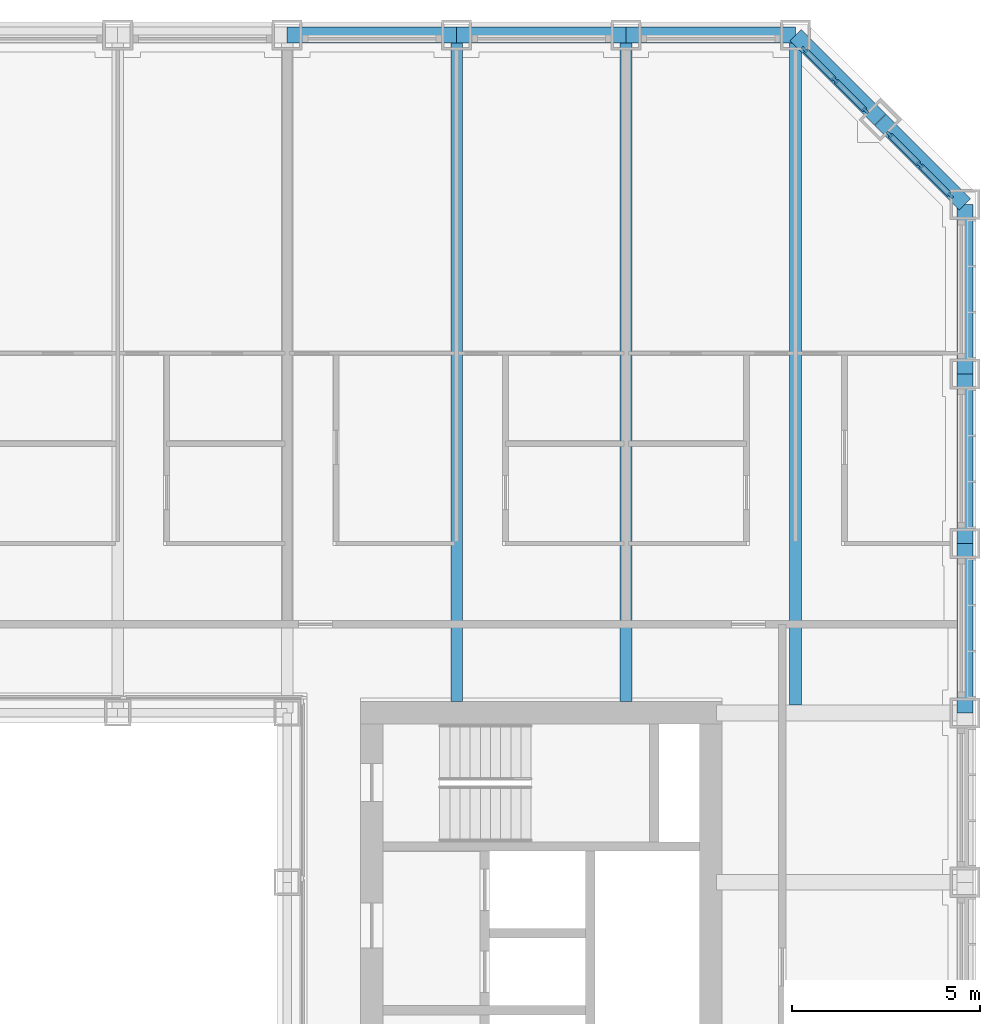
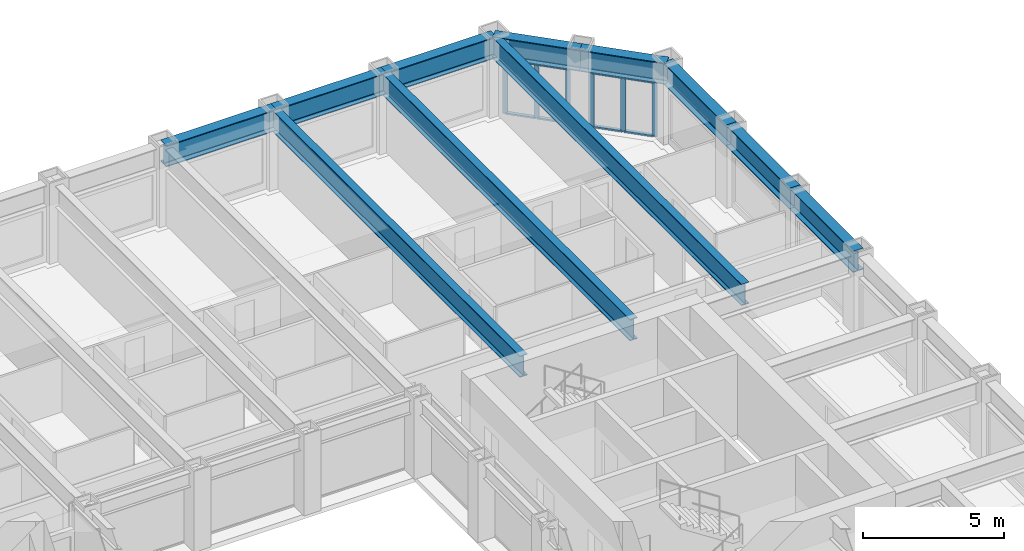
# One storey, part 7 of 21: 14 members, 11 beams, 2 elements without a shape of their own.
"""IFC4 building model written with IfcOpenShell, lengths in metres."""

import ifcopenshell
import ifcopenshell.guid

model = None  # the IFC model being written
_history = None  # IfcOwnerHistory: only IFC2X3 demands one
_inside = {}  # id of a spatial element -> (the spatial element, [elements in it])
_under = {}  # id of a project, library or spatial element -> (it, [spatial elements below it])
_declared = {}  # id of a project -> (the project, [libraries it declares])
_typed = {}  # id of a type object -> (the type object, [elements of that type])
_made_of = {}  # id of a material, layer set ... -> (it, [elements and type objects made of it])


def new_model(schema):
    """Start an empty IFC model of exactly this schema.

    Asked for "IFC4X3", IfcOpenShell would pick the latest addendum, in which some entities
    have other attributes; the version numbers below select the first issue.
    IFC2X3 requires an IfcOwnerHistory on every rooted entity: one is made here for all.
    """
    global model, _history
    if schema == "IFC4X3":
        model = ifcopenshell.file(schema_version=(4, 3, 0, 0))
    else:
        model = ifcopenshell.file(schema=schema)
    _inside.clear()
    _under.clear()
    _declared.clear()
    _typed.clear()
    _made_of.clear()
    _history = None
    if model.schema == "IFC2X3":
        org = make("IfcOrganization", Name="unknown")
        user = make(
            "IfcPersonAndOrganization",
            ThePerson=make("IfcPerson", FamilyName="unknown"),
            TheOrganization=org,
        )
        app = make(
            "IfcApplication",
            ApplicationDeveloper=org,
            Version="unknown",
            ApplicationFullName="unknown",
            ApplicationIdentifier="unknown",
        )
        _history = make(
            "IfcOwnerHistory",
            OwningUser=user,
            OwningApplication=app,
            ChangeAction="ADDED",
            CreationDate=0,
        )
    return model


def make(cls, **values):
    """One entity of the class cls with the attributes given. An attribute that is None is left unset."""
    return model.create_entity(
        cls, **{name: value for name, value in values.items() if value is not None}
    )


def rooted(cls, **values):
    """An entity with a GlobalId (a new one), such as an element, a storey or a relation."""
    return make(cls, GlobalId=ifcopenshell.guid.new(), OwnerHistory=_history, **values)


def si_unit(unit_type, name, prefix=None):
    """IfcSIUnit, for example si_unit("LENGTHUNIT", "METRE", prefix="MILLI")."""
    return make("IfcSIUnit", UnitType=unit_type, Prefix=prefix, Name=name)


def assignment(units):
    """IfcUnitAssignment: the units of a project."""
    return None if units is None else make("IfcUnitAssignment", Units=units)


def point(xyz):
    """IfcCartesianPoint."""
    return None if xyz is None else make("IfcCartesianPoint", Coordinates=xyz)


def direction(xyz):
    """IfcDirection."""
    return None if xyz is None else make("IfcDirection", DirectionRatios=xyz)


def frame(location, z_axis=None, x_axis=None):
    """IfcAxis2Placement3D, a coordinate frame: its origin and axes. An axis left out is left unset."""
    return make(
        "IfcAxis2Placement3D",
        Location=point(location),
        Axis=direction(z_axis),
        RefDirection=direction(x_axis),
    )


def frame_2d(location, x_axis=None):
    """IfcAxis2Placement2D, a coordinate frame in the plane: its origin and x axis."""
    return make(
        "IfcAxis2Placement2D", Location=point(location), RefDirection=direction(x_axis)
    )


def origin():
    """The frame at (0, 0, 0) with its axes left unset."""
    return frame((0.0, 0.0, 0.0))


def origin_2d():
    """The frame at (0, 0) in the plane with its x axis left unset."""
    return frame_2d((0.0, 0.0))


def place(relative_to, where):
    """IfcLocalPlacement: puts the frame where relative to a parent placement (None: the world)."""
    return make(
        "IfcLocalPlacement", PlacementRelTo=relative_to, RelativePlacement=where
    )


def context(
    kind, dimensions, precision=None, world=None, true_north=None, identifier=None
):
    """IfcGeometricRepresentationContext, for example the 3D "Model" context."""
    return make(
        "IfcGeometricRepresentationContext",
        ContextIdentifier=identifier,
        ContextType=kind,
        CoordinateSpaceDimension=dimensions,
        Precision=precision,
        WorldCoordinateSystem=world,
        TrueNorth=true_north,
    )


def subcontext(parent, identifier, kind, view, scale=None):
    """IfcGeometricRepresentationSubContext, for example "Body" below "Model"."""
    return make(
        "IfcGeometricRepresentationSubContext",
        ContextIdentifier=identifier,
        ContextType=kind,
        ParentContext=parent,
        TargetScale=scale,
        TargetView=view,
    )


def project(units=None, contexts=None):
    """IfcProject with its units and contexts."""
    return rooted(
        "IfcProject",
        Name="project",
        RepresentationContexts=contexts,
        UnitsInContext=assignment(units),
    )


def spatial(cls, under=None, at=None, **own):
    """A site, building, storey or space (cls), placed at a placement, below another one or the project."""
    s = rooted(cls, ObjectPlacement=at, **own)
    if under is not None:
        _under.setdefault(under.id(), (under, []))[1].append(s)
    return s


def profile(cls, at=None, kind="AREA", **sizes):
    """A parametric profile (cls). Its sizes go by their IFC names, for example OverallWidth=200.0."""
    return make(cls, ProfileType=kind, Position=at, **sizes)


def rectangle(**sizes):
    """IfcRectangleProfileDef."""
    return profile("IfcRectangleProfileDef", **sizes)


def i_section(**sizes):
    """IfcIShapeProfileDef."""
    return profile("IfcIShapeProfileDef", **sizes)


def extrude(swept, where, along, depth):
    """IfcExtrudedAreaSolid: the profile swept, set in the frame where, extruded along a direction by depth."""
    return make(
        "IfcExtrudedAreaSolid",
        SweptArea=swept,
        Position=where,
        ExtrudedDirection=direction(along),
        Depth=depth,
    )


def shape(context_of_items, identifier, shape_type, items):
    """IfcShapeRepresentation: the items that make up one representation, for example the "Body"."""
    return make(
        "IfcShapeRepresentation",
        ContextOfItems=context_of_items,
        RepresentationIdentifier=identifier,
        RepresentationType=shape_type,
        Items=items,
    )


def material(Name=None, Category=None):
    """IfcMaterial."""
    return make("IfcMaterial", Name=Name, Category=Category)


def material_profile(
    of_material, cross_section, Name=None, Category=None, Priority=None
):
    """IfcMaterialProfile: a cross section and its material."""
    return make(
        "IfcMaterialProfile",
        Name=Name,
        Material=of_material,
        Profile=cross_section,
        Priority=Priority,
        Category=Category,
    )


def profile_set(profiles, Name=None, composite=None):
    """IfcMaterialProfileSet."""
    return make(
        "IfcMaterialProfileSet",
        Name=Name,
        MaterialProfiles=profiles,
        CompositeProfile=composite,
    )


def made_of(thing, what):
    """Note that an element or type object is made of a material, layer set ...; save() writes the relation."""
    if what is not None:
        _made_of.setdefault(what.id(), (what, []))[1].append(thing)
    return thing


def type_object(cls, material=None, **own):
    """A type object (cls), such as IfcWallType, which elements share."""
    return made_of(rooted(cls, **own), material)


def element(
    cls,
    number,
    at=None,
    inside=None,
    cuts=None,
    type_object=None,
    material=None,
    context=None,
    identifier="Body",
    shape_type=None,
    held_by="IfcProductDefinitionShape",
    body=None,
    shapes=None,
    **own,
):
    """One element of the class cls, such as IfcWall. Its Tag is "e" and its number.

    at: its placement. inside: the storey or other place that contains it. cuts: it is an
    opening in that element (IfcRelVoidsElement). A single representation is given by context,
    identifier, shape_type and body (its items); several are given by shapes. held_by: the class
    of the entity that holds the representations. save() writes the other relations.
    """
    e = rooted(cls, Tag="e%d" % number, ObjectPlacement=at, **own)
    if body is not None:
        shapes = [shape(context, identifier, shape_type, body)]
    if shapes is not None:
        e.Representation = make(held_by, Representations=shapes)
    if inside is not None:
        _inside.setdefault(inside.id(), (inside, []))[1].append(e)
    if cuts is not None:
        rooted(
            "IfcRelVoidsElement", RelatingBuildingElement=cuts, RelatedOpeningElement=e
        )
    if type_object is not None:
        _typed.setdefault(type_object.id(), (type_object, []))[1].append(e)
    return made_of(e, material)


def aggregate(whole, parts):
    """IfcRelAggregates: a whole, such as a stair, and the parts it consists of."""
    return rooted("IfcRelAggregates", RelatingObject=whole, RelatedObjects=parts)


def save(model, path):
    """Write the relations noted so far, then the file.

    IfcRelAggregates (storeys below a building ...), IfcRelContainedInSpatialStructure (elements
    in a storey), IfcRelDefinesByType, IfcRelAssociatesMaterial and IfcRelDeclares: one each for
    every whole, place, type object, material and project.
    """
    for whole, parts in _under.values():
        aggregate(whole, parts)
    for where, things in _inside.values():
        rooted(
            "IfcRelContainedInSpatialStructure",
            RelatedElements=things,
            RelatingStructure=where,
        )
    for kind, things in _typed.values():
        rooted("IfcRelDefinesByType", RelatedObjects=things, RelatingType=kind)
    for what, things in _made_of.values():
        rooted("IfcRelAssociatesMaterial", RelatedObjects=things, RelatingMaterial=what)
    for by, libraries in _declared.values():
        rooted("IfcRelDeclares", RelatingContext=by, RelatedDefinitions=libraries)
    model.write(path)


model = new_model("IFC4")

# Units and contexts
model_context = context("Model", 3, precision=1e-05, world=origin(), true_north=direction((0.0, 1.0)))
body_context = subcontext(model_context, "Body", "Model", "MODEL_VIEW")
ifc_project = project(units=[si_unit("LENGTHUNIT", "METRE"), si_unit("AREAUNIT", "SQUARE_METRE"), si_unit("VOLUMEUNIT", "CUBIC_METRE"), si_unit("PLANEANGLEUNIT", "RADIAN"), si_unit("MASSUNIT", "GRAM", prefix="KILO")], contexts=[model_context])

# Site, building, storey
site_placement = place(None, origin())
site = spatial("IfcSite", under=ifc_project, at=site_placement, CompositionType="ELEMENT")
building_placement = place(site_placement, origin())
building = spatial("IfcBuilding", under=site, at=building_placement, Name="Msasa Ring Tower", CompositionType="ELEMENT")
storey_placement = place(building_placement, frame((0.0, 0.0, 51.0)))
storey = spatial("IfcBuildingStorey", under=building, at=storey_placement, Name="L12", CompositionType="ELEMENT", Elevation=51.0)

# Curtain wall, members
ifc_material_1 = material(Name="Aluminium curtain wall with clear glass", Category="aluminium")
curtain_wall_type = type_object("IfcCurtainWallType", Name="CW-C CHAMFER CORNER CURTAIN WALL", PredefinedType="NOTDEFINED", material=ifc_material_1)
curtain_wall_1_placement = place(storey_placement, origin())
curtain_wall_1 = element("IfcCurtainWall", 1, at=curtain_wall_1_placement, inside=storey, type_object=curtain_wall_type, Name="Chamfer corner curtain wall NE L12", PredefinedType="NOTDEFINED")
ifc_material_2 = material(Name="Aluminium mullion", Category="aluminium")
ifc_material_profile_1 = material_profile(ifc_material_2, rectangle(XDim=0.06494140625, YDim=0.179931640625, at=origin_2d()), Name="AL 65x180")
ifc_profile_set_1 = profile_set([ifc_material_profile_1], Name="Aluminium mullion")
member_type_1 = type_object("IfcMemberType", Name="CW-C MULLION 65x180", PredefinedType="MULLION", material=ifc_profile_set_1)
member_1_placement = place(storey_placement, frame((22.119873046875, 22.73876953125, 0.0), z_axis=(0.0, 0.0, 1.0), x_axis=(-0.707106781187, -0.707106781187, 0.0)))
member_1 = element("IfcMember", 2, at=member_1_placement, type_object=member_type_1, Name="CW-C mullion 1", PredefinedType="MULLION", context=body_context, shape_type="SweptSolid", body=[
    extrude(rectangle(XDim=0.06494140625, YDim=0.179931640625, at=origin_2d()), origin(), (0.0, 0.0, 1.0), 2.37890625),
])
member_2_placement = place(storey_placement, frame((21.30419921875, 23.55419921875, 0.0), z_axis=(0.0, 0.0, 1.0), x_axis=(-0.707106781187, -0.707106781187, 0.0)))
member_2 = element("IfcMember", 3, at=member_2_placement, type_object=member_type_1, Name="CW-C mullion 2", PredefinedType="MULLION", context=body_context, shape_type="SweptSolid", body=[
    extrude(rectangle(XDim=0.06494140625, YDim=0.179931640625, at=origin_2d()), origin(), (0.0, 0.0, 1.0), 2.37890625),
])
member_3_placement = place(storey_placement, frame((20.48876953125, 24.369873046875, 0.0), z_axis=(0.0, 0.0, 1.0), x_axis=(-0.707106781187, -0.707106781187, 0.0)))
member_3 = element("IfcMember", 4, at=member_3_placement, type_object=member_type_1, Name="CW-C mullion 3", PredefinedType="MULLION", context=body_context, shape_type="SweptSolid", body=[
    extrude(rectangle(XDim=0.06494140625, YDim=0.179931640625, at=origin_2d()), origin(), (0.0, 0.0, 1.0), 2.37890625),
])

curtain_wall_2_placement = place(storey_placement, origin())
curtain_wall_2 = element("IfcCurtainWall", 5, at=curtain_wall_2_placement, inside=storey, type_object=curtain_wall_type, Name="Chamfer corner curtain wall NE L12", PredefinedType="NOTDEFINED")
member_4_placement = place(storey_placement, frame((24.369873046875, 20.48876953125, 0.0), z_axis=(0.0, 0.0, 1.0), x_axis=(-0.707106781187, -0.707106781187, 0.0)))
member_4 = element("IfcMember", 6, at=member_4_placement, type_object=member_type_1, Name="CW-C mullion 1", PredefinedType="MULLION", context=body_context, shape_type="SweptSolid", body=[
    extrude(rectangle(XDim=0.06494140625, YDim=0.179931640625, at=origin_2d()), origin(), (0.0, 0.0, 1.0), 2.37890625),
])
member_5_placement = place(storey_placement, frame((23.55419921875, 21.30419921875, 0.0), z_axis=(0.0, 0.0, 1.0), x_axis=(-0.707106781187, -0.707106781187, 0.0)))
member_5 = element("IfcMember", 7, at=member_5_placement, type_object=member_type_1, Name="CW-C mullion 2", PredefinedType="MULLION", context=body_context, shape_type="SweptSolid", body=[
    extrude(rectangle(XDim=0.06494140625, YDim=0.179931640625, at=origin_2d()), origin(), (0.0, 0.0, 1.0), 2.37890625),
])
member_6_placement = place(storey_placement, frame((22.73876953125, 22.119873046875, 0.0), z_axis=(0.0, 0.0, 1.0), x_axis=(-0.707106781187, -0.707106781187, 0.0)))
member_6 = element("IfcMember", 8, at=member_6_placement, type_object=member_type_1, Name="CW-C mullion 3", PredefinedType="MULLION", context=body_context, shape_type="SweptSolid", body=[
    extrude(rectangle(XDim=0.06494140625, YDim=0.179931640625, at=origin_2d()), origin(), (0.0, 0.0, 1.0), 2.37890625),
])

# Member
ifc_material_3 = material(Name="Aluminium transom", Category="aluminium")
ifc_material_profile_2 = material_profile(ifc_material_3, rectangle(XDim=0.139892578125, YDim=0.06494140625, at=origin_2d()), Name="AL 65x140")
ifc_profile_set_2 = profile_set([ifc_material_profile_2], Name="Aluminium transom")
member_type_2 = type_object("IfcMemberType", Name="CW-C TRANSOM 65x140", PredefinedType="USERDEFINED", material=ifc_profile_set_2)
member_7_placement = place(storey_placement, frame((22.096923828125, 22.76171875, 0.032470703125), z_axis=(-0.707106781187, 0.707106781187, 0.0), x_axis=(-0.707106781187, -0.707106781187, 0.0)))
member_7 = element("IfcMember", 9, at=member_7_placement, type_object=member_type_2, Name="CW-C transom 1.1", ObjectType="TRANSOM", PredefinedType="USERDEFINED", context=body_context, shape_type="SweptSolid", body=[
    extrude(rectangle(XDim=0.139892578125, YDim=0.06494140625, at=origin_2d()), origin(), (0.0, 0.0, 1.0), 1.08837890625),
])

member_8_placement = place(storey_placement, frame((22.096923828125, 22.76171875, 2.346435546875), z_axis=(-0.707106781187, 0.707106781187, 0.0), x_axis=(-0.707106781187, -0.707106781187, 0.0)))
member_8 = element("IfcMember", 10, at=member_8_placement, type_object=member_type_2, Name="CW-C transom 1.2", ObjectType="TRANSOM", PredefinedType="USERDEFINED", context=body_context, shape_type="SweptSolid", body=[
    extrude(rectangle(XDim=0.139892578125, YDim=0.06494140625, at=origin_2d()), origin(), (0.0, 0.0, 1.0), 1.08837890625),
])

member_9_placement = place(storey_placement, frame((21.28125, 23.577392578125, 0.032470703125), z_axis=(-0.707106781187, 0.707106781187, 0.0), x_axis=(-0.707106781187, -0.707106781187, 0.0)))
member_9 = element("IfcMember", 11, at=member_9_placement, type_object=member_type_2, Name="CW-C transom 2.1", ObjectType="TRANSOM", PredefinedType="USERDEFINED", context=body_context, shape_type="SweptSolid", body=[
    extrude(rectangle(XDim=0.139892578125, YDim=0.06494140625, at=origin_2d()), origin(), (0.0, 0.0, 1.0), 1.08837890625),
])

member_10_placement = place(storey_placement, frame((21.28125, 23.577392578125, 2.346435546875), z_axis=(-0.707106781187, 0.707106781187, 0.0), x_axis=(-0.707106781187, -0.707106781187, 0.0)))
member_10 = element("IfcMember", 12, at=member_10_placement, type_object=member_type_2, Name="CW-C transom 2.2", ObjectType="TRANSOM", PredefinedType="USERDEFINED", context=body_context, shape_type="SweptSolid", body=[
    extrude(rectangle(XDim=0.139892578125, YDim=0.06494140625, at=origin_2d()), origin(), (0.0, 0.0, 1.0), 1.08837890625),
])

aggregate(curtain_wall_1, [member_1, member_2, member_3, member_7, member_8, member_9, member_10])

member_11_placement = place(storey_placement, frame((24.346923828125, 20.51171875, 0.032470703125), z_axis=(-0.707106781187, 0.707106781187, 0.0), x_axis=(-0.707106781187, -0.707106781187, 0.0)))
member_11 = element("IfcMember", 13, at=member_11_placement, type_object=member_type_2, Name="CW-C transom 1.1", ObjectType="TRANSOM", PredefinedType="USERDEFINED", context=body_context, shape_type="SweptSolid", body=[
    extrude(rectangle(XDim=0.139892578125, YDim=0.06494140625, at=origin_2d()), origin(), (0.0, 0.0, 1.0), 1.08837890625),
])

member_12_placement = place(storey_placement, frame((24.346923828125, 20.51171875, 2.346435546875), z_axis=(-0.707106781187, 0.707106781187, 0.0), x_axis=(-0.707106781187, -0.707106781187, 0.0)))
member_12 = element("IfcMember", 14, at=member_12_placement, type_object=member_type_2, Name="CW-C transom 1.2", ObjectType="TRANSOM", PredefinedType="USERDEFINED", context=body_context, shape_type="SweptSolid", body=[
    extrude(rectangle(XDim=0.139892578125, YDim=0.06494140625, at=origin_2d()), origin(), (0.0, 0.0, 1.0), 1.08837890625),
])

member_13_placement = place(storey_placement, frame((23.53125, 21.327392578125, 0.032470703125), z_axis=(-0.707106781187, 0.707106781187, 0.0), x_axis=(-0.707106781187, -0.707106781187, 0.0)))
member_13 = element("IfcMember", 15, at=member_13_placement, type_object=member_type_2, Name="CW-C transom 2.1", ObjectType="TRANSOM", PredefinedType="USERDEFINED", context=body_context, shape_type="SweptSolid", body=[
    extrude(rectangle(XDim=0.139892578125, YDim=0.06494140625, at=origin_2d()), origin(), (0.0, 0.0, 1.0), 1.08837890625),
])

member_14_placement = place(storey_placement, frame((23.53125, 21.327392578125, 2.346435546875), z_axis=(-0.707106781187, 0.707106781187, 0.0), x_axis=(-0.707106781187, -0.707106781187, 0.0)))
member_14 = element("IfcMember", 16, at=member_14_placement, type_object=member_type_2, Name="CW-C transom 2.2", ObjectType="TRANSOM", PredefinedType="USERDEFINED", context=body_context, shape_type="SweptSolid", body=[
    extrude(rectangle(XDim=0.139892578125, YDim=0.06494140625, at=origin_2d()), origin(), (0.0, 0.0, 1.0), 1.08837890625),
])

aggregate(curtain_wall_2, [member_4, member_5, member_6, member_11, member_12, member_13, member_14])

# Beams
ifc_material_4 = material(Name="Steel S355", Category="steel")
ifc_material_profile_3 = material_profile(ifc_material_4, i_section(OverallWidth=0.3076171875, OverallDepth=0.926513671875, WebThickness=0.01953125, FlangeThickness=0.031982421875, FilletRadius=0.01904296875, at=origin_2d()), Name="UB 914x305x289")
ifc_profile_set_3 = profile_set([ifc_material_profile_3], Name="Steel S355")
beam_type_1 = type_object("IfcBeamType", Name="FB3 UB 914x305x289", PredefinedType="BEAM", material=ifc_profile_set_3)
for number, where, z_axis, x_axis, name in (
    (17, (11.25, 24.75, 2.836669921875), (0.0, -1.0, 0.0), (1.0, 0.0, 0.0), "Floor beam N+11.25 under L13"),
    (18, (15.75, 24.75, 2.836669921875), (0.0, -1.0, 0.0), (1.0, 0.0, 0.0), "Floor beam N+15.75 under L13"),
):
    element("IfcBeam", number, at=place(storey_placement, frame(where, z_axis=z_axis, x_axis=x_axis)), inside=storey, type_object=beam_type_1, Name=name, PredefinedType="BEAM", context=body_context, shape_type="SweptSolid", body=[
        extrude(i_section(OverallWidth=0.3076171875, OverallDepth=0.926513671875, WebThickness=0.01953125, FlangeThickness=0.031982421875, FilletRadius=0.01904296875, at=origin_2d()), origin(), (0.0, 0.0, 1.0), 17.699951171875),
    ])
beam_placement = place(storey_placement, frame((20.25, 24.75, 2.836669921875), z_axis=(0.0, -1.0, 0.0), x_axis=(1.0, 0.0, 0.0)))
element("IfcBeam", 19, at=beam_placement, inside=storey, type_object=beam_type_1, Name="Floor beam N+20.25 under L13", PredefinedType="BEAM", context=body_context, shape_type="SweptSolid", body=[
    extrude(i_section(OverallWidth=0.3076171875, OverallDepth=0.926513671875, WebThickness=0.01953125, FlangeThickness=0.031982421875, FilletRadius=0.01904296875, at=origin_2d()), origin(), (0.0, 0.0, 1.0), 17.789794921875),
])
ifc_material_5 = material(Name="Steel S355", Category="steel")
ifc_material_profile_4 = material_profile(ifc_material_5, i_section(OverallWidth=0.42041015625, OverallDepth=0.9208984375, WebThickness=0.021484375, FlangeThickness=0.03662109375, FilletRadius=0.024169921875, at=origin_2d()), Name="UB 914x419x388")
ifc_profile_set_4 = profile_set([ifc_material_profile_4], Name="Steel S355")
beam_type_2 = type_object("IfcBeamType", Name="SB1 UB 914x419x388", PredefinedType="SPANDREL", material=ifc_profile_set_4)
for number, where, z_axis, x_axis, name in (
    (20, (24.75, 6.75, 2.839599609375), (0.0, 1.0, 0.0), (-1.0, 0.0, 0.0), "Spandrel E+6.75 to E+11.25 under L13"),
    (21, (24.75, 11.25, 2.839599609375), (0.0, 1.0, 0.0), (-1.0, 0.0, 0.0), "Spandrel E+11.25 to E+15.75 under L13"),
    (22, (24.75, 15.75, 2.839599609375), (0.0, 1.0, 0.0), (-1.0, 0.0, 0.0), "Spandrel E+15.75 to E+20.25 under L13"),
):
    element("IfcBeam", number, at=place(storey_placement, frame(where, z_axis=z_axis, x_axis=x_axis)), inside=storey, type_object=beam_type_2, Name=name, PredefinedType="SPANDREL", context=body_context, shape_type="SweptSolid", body=[
        extrude(i_section(OverallWidth=0.42041015625, OverallDepth=0.9208984375, WebThickness=0.021484375, FlangeThickness=0.03662109375, FilletRadius=0.024169921875, at=origin_2d()), origin(), (0.0, 0.0, 1.0), 4.5),
    ])
for number, where, z_axis, x_axis, name in (
    (23, (24.75, 20.25, 2.839599609375), (-0.707106781187, 0.707106781187, 0.0), (-0.707106781187, -0.707106781187, 0.0), "Spandrel E+20.25 to NE under L13"),
    (24, (22.5, 22.5, 2.839599609375), (-0.707106781187, 0.707106781187, 0.0), (-0.707106781187, -0.707106781187, 0.0), "Spandrel NE to N+20.25 under L13"),
):
    element("IfcBeam", number, at=place(storey_placement, frame(where, z_axis=z_axis, x_axis=x_axis)), inside=storey, type_object=beam_type_2, Name=name, PredefinedType="SPANDREL", context=body_context, shape_type="SweptSolid", body=[
        extrude(i_section(OverallWidth=0.42041015625, OverallDepth=0.9208984375, WebThickness=0.021484375, FlangeThickness=0.03662109375, FilletRadius=0.024169921875, at=origin_2d()), origin(), (0.0, 0.0, 1.0), 3.181884765625),
    ])
for number, where, z_axis, x_axis, name in (
    (25, (20.25, 24.75, 2.839599609375), (-1.0, 0.0, 0.0), (0.0, -1.0, 0.0), "Spandrel N+20.25 to N+15.75 under L13"),
    (26, (15.75, 24.75, 2.839599609375), (-1.0, 0.0, 0.0), (0.0, -1.0, 0.0), "Spandrel N+15.75 to N+11.25 under L13"),
    (27, (11.25, 24.75, 2.839599609375), (-1.0, 0.0, 0.0), (0.0, -1.0, 0.0), "Spandrel N+11.25 to N+6.75 under L13"),
):
    element("IfcBeam", number, at=place(storey_placement, frame(where, z_axis=z_axis, x_axis=x_axis)), inside=storey, type_object=beam_type_2, Name=name, PredefinedType="SPANDREL", context=body_context, shape_type="SweptSolid", body=[
        extrude(i_section(OverallWidth=0.42041015625, OverallDepth=0.9208984375, WebThickness=0.021484375, FlangeThickness=0.03662109375, FilletRadius=0.024169921875, at=origin_2d()), origin(), (0.0, 0.0, 1.0), 4.5),
    ])

save(model, "model.ifc")
